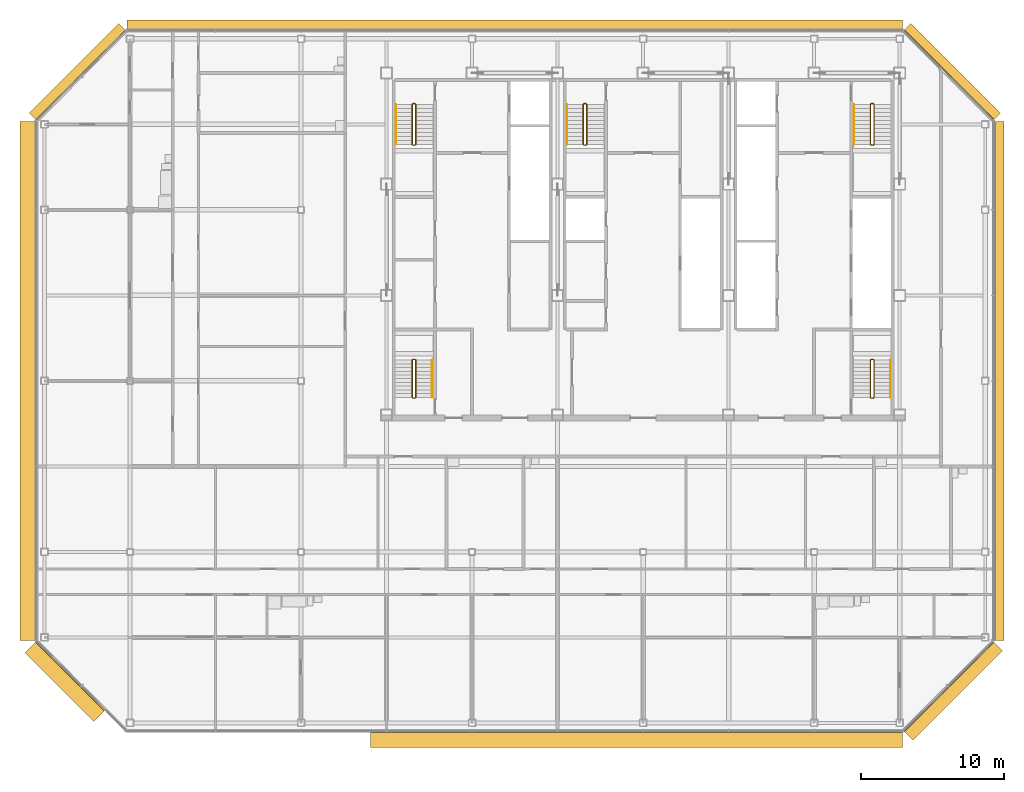
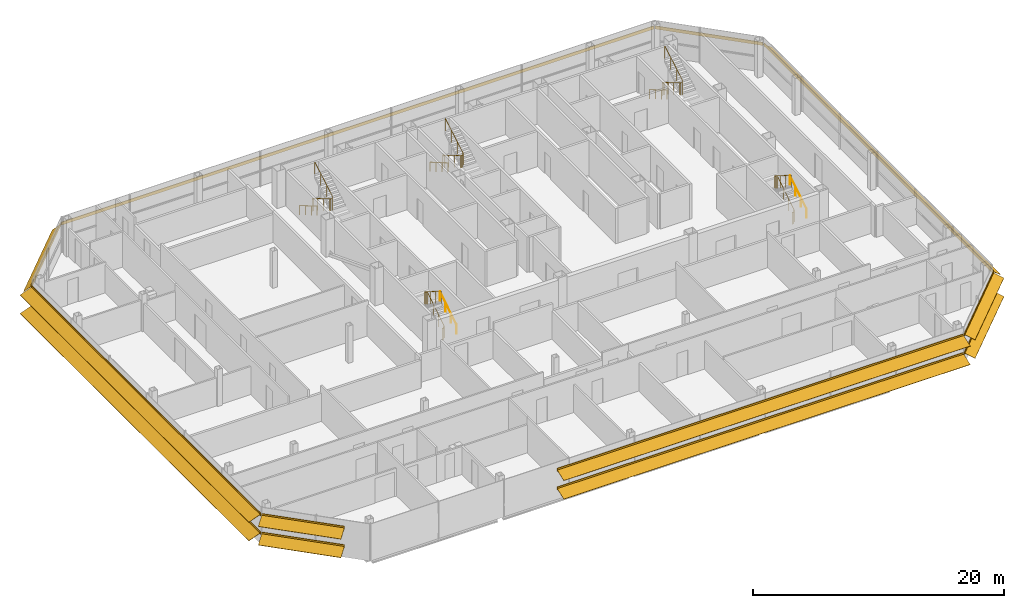
# One storey, part 26 of 27: 10 railings, 8 shading devices.
"""IFC4 building model written with IfcOpenShell, lengths in metres."""

from ifc_helpers import new_model, si_unit, direction, frame, origin, origin_2d, place, context, subcontext, project, spatial, polyline, circle, outline, composite_profile, extrude, material, type_object, element, save


model = new_model("IFC4")

# Units and contexts
model_context = context("Model", 3, precision=1e-05, world=origin(), true_north=direction((0.0, 1.0)))
body_context = subcontext(model_context, "Body", "Model", "MODEL_VIEW")
ifc_project = project(units=[si_unit("LENGTHUNIT", "METRE"), si_unit("AREAUNIT", "SQUARE_METRE"), si_unit("VOLUMEUNIT", "CUBIC_METRE"), si_unit("PLANEANGLEUNIT", "RADIAN"), si_unit("MASSUNIT", "GRAM", prefix="KILO")], contexts=[model_context])

# Site, building, storey
site_placement = place(None, origin())
site = spatial("IfcSite", under=ifc_project, at=site_placement, CompositionType="ELEMENT")
building_placement = place(site_placement, origin())
building = spatial("IfcBuilding", under=site, at=building_placement, Name="Sorahane Residences", CompositionType="ELEMENT")
storey_placement = place(building_placement, frame((0.0, 0.0, 316.0)))
storey = spatial("IfcBuildingStorey", under=building, at=storey_placement, Name="L75", CompositionType="ELEMENT", Elevation=316.0)

# Shading devices
ifc_material_1 = material(Name="Terracotta anodised aluminium", Category="masonry")
shading_device_type_1 = type_object("IfcShadingDeviceType", Name="Louvre sunshade blade E terracotta aluminium 700", PredefinedType="JALOUSIE", material=ifc_material_1)
shading_device_1_placement = place(storey_placement, frame((48.60009765625, 5.801513671875, 2.699951171875), z_axis=(0.0, 1.0, 0.0), x_axis=(-1.0, 0.0, 0.0)))
element("IfcShadingDevice", 1, at=shading_device_1_placement, inside=storey, type_object=shading_device_type_1, Name="Louvre sunshade blade bank E L75 E1", PredefinedType="JALOUSIE", context=body_context, shape_type="SweptSolid", body=[
    extrude(outline(polyline([(-0.719970703125, -0.49365234375), (-0.719970703125, -0.523681640625), (-0.080078125, -0.05859375), (-0.080078125, -0.14990234375), (-0.02001953125, -0.14990234375), (-0.02001953125, -0.014892578125), (-0.02001953125, 0.014892578125), (-0.02001953125, 0.14990234375), (-0.080078125, 0.14990234375), (-0.080078125, -0.028564453125), (-0.719970703125, -0.49365234375)])), origin(), (0.0, 0.0, 1.0), 36.39697265625),
])
ifc_material_2 = material(Name="Terracotta anodised aluminium", Category="masonry")
shading_device_type_2 = type_object("IfcShadingDeviceType", Name="Louvre sunshade blade N terracotta aluminium 700", PredefinedType="JALOUSIE", material=ifc_material_2)
shading_device_2_placement = place(storey_placement, frame((42.198486328125, 48.60009765625, 2.699951171875), z_axis=(-1.0, 0.0, 0.0), x_axis=(0.0, -1.0, 0.0)))
element("IfcShadingDevice", 2, at=shading_device_2_placement, inside=storey, type_object=shading_device_type_2, Name="Louvre sunshade blade bank N L75 N1", PredefinedType="JALOUSIE", context=body_context, shape_type="SweptSolid", body=[
    extrude(outline(polyline([(-0.719970703125, -0.660888671875), (-0.719970703125, -0.69091796875), (-0.080078125, -0.072998046875), (-0.080078125, -0.14990234375), (-0.02001953125, -0.14990234375), (-0.02001953125, -0.014892578125), (-0.02001953125, 0.014892578125), (-0.02001953125, 0.14990234375), (-0.080078125, 0.14990234375), (-0.080078125, -0.04296875), (-0.719970703125, -0.660888671875)])), origin(), (0.0, 0.0, 1.0), 54.39697265625),
])
ifc_material_3 = material(Name="Terracotta anodised aluminium", Category="masonry")
shading_device_type_3 = type_object("IfcShadingDeviceType", Name="Louvre sunshade blade NE terracotta aluminium 700", PredefinedType="JALOUSIE", material=ifc_material_3)
shading_device_3_placement = place(storey_placement, frame((48.564697265625, 42.283935546875, 2.699951171875), z_axis=(-0.707106781187, 0.707106781187, 0.0), x_axis=(-0.707106781187, -0.707106781187, 0.0)))
element("IfcShadingDevice", 3, at=shading_device_3_placement, inside=storey, type_object=shading_device_type_3, Name="Louvre sunshade blade bank NE L75 NE1", PredefinedType="JALOUSIE", context=body_context, shape_type="SweptSolid", body=[
    extrude(outline(polyline([(-0.719970703125, -0.572509765625), (-0.719970703125, -0.602294921875), (-0.080078125, -0.065185546875), (-0.080078125, -0.14990234375), (-0.02001953125, -0.14990234375), (-0.02001953125, -0.014892578125), (-0.02001953125, 0.014892578125), (-0.02001953125, 0.14990234375), (-0.080078125, 0.14990234375), (-0.080078125, -0.035400390625), (-0.719970703125, -0.572509765625)])), origin(), (0.0, 0.0, 1.0), 8.88232421875),
])
ifc_material_4 = material(Name="Terracotta anodised aluminium", Category="masonry")
shading_device_type_4 = type_object("IfcShadingDeviceType", Name="Louvre sunshade blade NW terracotta aluminium 700", PredefinedType="JALOUSIE", material=ifc_material_4)
shading_device_4_placement = place(storey_placement, frame((-12.283935546875, 48.564697265625, 2.699951171875), z_axis=(-0.707106781187, -0.707106781187, 0.0), x_axis=(0.707106781187, -0.707106781187, 0.0)))
element("IfcShadingDevice", 4, at=shading_device_4_placement, inside=storey, type_object=shading_device_type_4, Name="Louvre sunshade blade bank NW L75 NW1", PredefinedType="JALOUSIE", context=body_context, shape_type="SweptSolid", body=[
    extrude(outline(polyline([(-0.719970703125, -0.660888671875), (-0.719970703125, -0.69091796875), (-0.080078125, -0.072998046875), (-0.080078125, -0.14990234375), (-0.02001953125, -0.14990234375), (-0.02001953125, -0.014892578125), (-0.02001953125, 0.014892578125), (-0.02001953125, 0.14990234375), (-0.080078125, 0.14990234375), (-0.080078125, -0.04296875), (-0.719970703125, -0.660888671875)])), origin(), (0.0, 0.0, 1.0), 8.88232421875),
])
ifc_material_5 = material(Name="Terracotta anodised aluminium", Category="masonry")
shading_device_type_5 = type_object("IfcShadingDeviceType", Name="Louvre sunshade blade S terracotta aluminium 1100", PredefinedType="JALOUSIE", material=ifc_material_5)
shading_device_5_placement = place(storey_placement, frame((4.869384765625, -0.60009765625, 0.89990234375), z_axis=(1.0, 0.0, 0.0), x_axis=(0.0, 1.0, 0.0)))
element("IfcShadingDevice", 5, at=shading_device_5_placement, inside=storey, type_object=shading_device_type_5, Name="Louvre sunshade blade bank S L75 S1", PredefinedType="JALOUSIE", context=body_context, shape_type="SweptSolid", body=[
    extrude(composite_profile([outline(polyline([(-1.1201171875, -0.385498046875), (-1.1201171875, -0.415283203125), (-0.080078125, -0.036865234375), (-0.080078125, -0.14990234375), (-0.02001953125, -0.14990234375), (-0.02001953125, -0.014892578125), (-0.02001953125, 0.014892578125), (-0.02001953125, 0.14990234375), (-0.080078125, 0.14990234375), (-0.080078125, -0.0068359375), (-1.1201171875, -0.385498046875)])), outline(polyline([(-1.1201171875, 1.41455078125), (-1.1201171875, 1.384521484375), (-0.080078125, 1.76318359375), (-0.080078125, 1.64990234375), (-0.02001953125, 1.64990234375), (-0.02001953125, 1.784912109375), (-0.02001953125, 1.81494140625), (-0.02001953125, 1.949951171875), (-0.080078125, 1.949951171875), (-0.080078125, 1.793212890625), (-1.1201171875, 1.41455078125)]))]), origin(), (0.0, 0.0, 1.0), 37.3291015625),
])
ifc_material_6 = material(Name="Terracotta anodised aluminium", Category="masonry")
shading_device_type_6 = type_object("IfcShadingDeviceType", Name="Louvre sunshade blade SE terracotta aluminium 900", PredefinedType="JALOUSIE", material=ifc_material_6)
shading_device_6_placement = place(storey_placement, frame((42.283935546875, -0.564697265625, 0.89990234375), z_axis=(0.707106781187, 0.707106781187, 0.0), x_axis=(-0.707106781187, 0.707106781187, 0.0)))
element("IfcShadingDevice", 6, at=shading_device_6_placement, inside=storey, type_object=shading_device_type_6, Name="Louvre sunshade blade bank SE L75 SE1", PredefinedType="JALOUSIE", context=body_context, shape_type="SweptSolid", body=[
    extrude(composite_profile([outline(polyline([(-0.919921875, -0.3486328125), (-0.919921875, -0.378662109375), (-0.080078125, -0.039306640625), (-0.080078125, -0.14990234375), (-0.02001953125, -0.14990234375), (-0.02001953125, -0.014892578125), (-0.02001953125, 0.014892578125), (-0.02001953125, 0.14990234375), (-0.080078125, 0.14990234375), (-0.080078125, -0.00927734375), (-0.919921875, -0.3486328125)])), outline(polyline([(-0.919921875, 1.451416015625), (-0.919921875, 1.42138671875), (-0.080078125, 1.7607421875), (-0.080078125, 1.64990234375), (-0.02001953125, 1.64990234375), (-0.02001953125, 1.784912109375), (-0.02001953125, 1.81494140625), (-0.02001953125, 1.949951171875), (-0.080078125, 1.949951171875), (-0.080078125, 1.790771484375), (-0.919921875, 1.451416015625)]))]), origin(), (0.0, 0.0, 1.0), 8.88232421875),
])
ifc_material_7 = material(Name="Terracotta anodised aluminium", Category="masonry")
shading_device_type_7 = type_object("IfcShadingDeviceType", Name="Louvre sunshade blade SW terracotta aluminium 1100", PredefinedType="JALOUSIE", material=ifc_material_7)
shading_device_7_placement = place(storey_placement, frame((-18.564697265625, 5.716064453125, 0.89990234375), z_axis=(0.707106781187, -0.707106781187, 0.0), x_axis=(0.707106781187, 0.707106781187, 0.0)))
element("IfcShadingDevice", 7, at=shading_device_7_placement, inside=storey, type_object=shading_device_type_7, Name="Louvre sunshade blade bank SW L75 SW1", PredefinedType="JALOUSIE", context=body_context, shape_type="SweptSolid", body=[
    extrude(composite_profile([outline(polyline([(-1.1201171875, -0.385498046875), (-1.1201171875, -0.415283203125), (-0.080078125, -0.036865234375), (-0.080078125, -0.14990234375), (-0.02001953125, -0.14990234375), (-0.02001953125, -0.014892578125), (-0.02001953125, 0.014892578125), (-0.02001953125, 0.14990234375), (-0.080078125, 0.14990234375), (-0.080078125, -0.0068359375), (-1.1201171875, -0.385498046875)])), outline(polyline([(-1.1201171875, 1.41455078125), (-1.1201171875, 1.384521484375), (-0.080078125, 1.76318359375), (-0.080078125, 1.64990234375), (-0.02001953125, 1.64990234375), (-0.02001953125, 1.784912109375), (-0.02001953125, 1.81494140625), (-0.02001953125, 1.949951171875), (-0.080078125, 1.949951171875), (-0.080078125, 1.793212890625), (-1.1201171875, 1.41455078125)]))]), origin(), (0.0, 0.0, 1.0), 6.81103515625),
])
ifc_material_8 = material(Name="Terracotta anodised aluminium", Category="masonry")
shading_device_type_8 = type_object("IfcShadingDeviceType", Name="Louvre sunshade blade W terracotta aluminium 1100", PredefinedType="JALOUSIE", material=ifc_material_8)
shading_device_8_placement = place(storey_placement, frame((-18.60009765625, 42.198486328125, 0.89990234375), z_axis=(0.0, -1.0, 0.0), x_axis=(1.0, 0.0, 0.0)))
element("IfcShadingDevice", 8, at=shading_device_8_placement, inside=storey, type_object=shading_device_type_8, Name="Louvre sunshade blade bank W L75 W1", PredefinedType="JALOUSIE", context=body_context, shape_type="SweptSolid", body=[
    extrude(composite_profile([outline(polyline([(-1.1201171875, -0.385498046875), (-1.1201171875, -0.415283203125), (-0.080078125, -0.036865234375), (-0.080078125, -0.14990234375), (-0.02001953125, -0.14990234375), (-0.02001953125, -0.014892578125), (-0.02001953125, 0.014892578125), (-0.02001953125, 0.14990234375), (-0.080078125, 0.14990234375), (-0.080078125, -0.0068359375), (-1.1201171875, -0.385498046875)])), outline(polyline([(-1.1201171875, 1.41455078125), (-1.1201171875, 1.384521484375), (-0.080078125, 1.76318359375), (-0.080078125, 1.64990234375), (-0.02001953125, 1.64990234375), (-0.02001953125, 1.784912109375), (-0.02001953125, 1.81494140625), (-0.02001953125, 1.949951171875), (-0.080078125, 1.949951171875), (-0.080078125, 1.793212890625), (-1.1201171875, 1.41455078125)]))]), origin(), (0.0, 0.0, 1.0), 36.39697265625),
])

# Railings
ifc_material_9 = material(Name="Steel Q355B", Category="steel")
railing_type_1 = type_object("IfcRailingType", Name="Stair guard 1200 Steel Q355B", PredefinedType="GUARDRAIL", material=ifc_material_9)
railing_1_placement = place(storey_placement, frame((8.0, 43.449951171875, 0.0)))
element("IfcRailing", 9, at=railing_1_placement, inside=storey, type_object=railing_type_1, Name="L75 S1 stair guard 1", PredefinedType="GUARDRAIL", context=body_context, shape_type="SweptSolid", body=[
    extrude(circle(Radius=0.02392578125, at=origin_2d()), frame((0.0, 0.0, 1.17578125), z_axis=(-1.0, 0.0, 0.0), x_axis=(0.0, -1.0, 0.0)), (0.0, 0.0, 1.0), 0.14990234375),
    extrude(circle(Radius=0.02392578125, at=origin_2d()), frame((-0.14990234375, 0.0, 1.17578125), z_axis=(-0.280808744504, -0.280808744504, 0.917765164963), x_axis=(0.707106781187, -0.707106781187, 0.0)), (0.0, 0.0, 1.0), 0.17822265625),
    extrude(circle(Radius=0.02392578125, at=origin_2d()), frame((-0.199951171875, -0.050048828125, 1.33935546875), z_axis=(0.0, -0.863341702679, 0.504619762213), x_axis=(1.0, 0.0, 0.0)), (0.0, 0.0, 1.0), 3.242919921875),
    extrude(circle(Radius=0.02392578125, at=origin_2d()), frame((-0.199951171875, -2.849853515625, 2.97607421875), z_axis=(0.707106781187, -0.707106781187, 0.0), x_axis=(0.707106781187, 0.707106781187, 0.0)), (0.0, 0.0, 1.0), 0.07080078125),
    extrude(circle(Radius=0.02392578125, at=origin_2d()), frame((-0.14990234375, -2.89990234375, 2.97607421875), z_axis=(1.0, 0.0, 0.0), x_axis=(0.0, 1.0, 0.0)), (0.0, 0.0, 1.0), 0.14990234375),
    extrude(circle(Radius=0.02392578125, at=origin_2d()), frame((0.0, -2.89990234375, 2.97607421875), z_axis=(0.280808744504, 0.280808744504, 0.917765164963), x_axis=(-0.707106781187, 0.707106781187, 0.0)), (0.0, 0.0, 1.0), 0.17822265625),
    extrude(circle(Radius=0.02392578125, at=origin_2d()), frame((0.050048828125, -2.849853515625, 3.1396484375), z_axis=(0.0, 0.863341702679, 0.504619762213), x_axis=(-1.0, 0.0, 0.0)), (0.0, 0.0, 1.0), 3.242919921875),
    extrude(circle(Radius=0.02099609375, at=origin_2d()), origin(), (0.0, 0.0, 1.0), 1.15185546875),
    extrude(circle(Radius=0.02099609375, at=origin_2d()), frame((-0.14990234375, 0.0, 0.0)), (0.0, 0.0, 1.0), 1.15185546875),
    extrude(circle(Radius=0.02099609375, at=origin_2d()), frame((-0.199951171875, -0.050048828125, 0.16357421875)), (0.0, 0.0, 1.0), 1.15185546875),
    extrude(circle(Radius=0.02099609375, at=origin_2d()), frame((-0.199951171875, -0.9833984375, 0.708984375)), (0.0, 0.0, 1.0), 1.15185546875),
    extrude(circle(Radius=0.02099609375, at=origin_2d()), frame((-0.199951171875, -1.91650390625, 1.254638671875)), (0.0, 0.0, 1.0), 1.15185546875),
    extrude(circle(Radius=0.02099609375, at=origin_2d()), frame((-0.199951171875, -2.849853515625, 1.800048828125)), (0.0, 0.0, 1.0), 1.15185546875),
    extrude(circle(Radius=0.02099609375, at=origin_2d()), frame((-0.14990234375, -2.89990234375, 1.800048828125)), (0.0, 0.0, 1.0), 1.15185546875),
    extrude(circle(Radius=0.02099609375, at=origin_2d()), frame((0.0, -2.89990234375, 1.800048828125)), (0.0, 0.0, 1.0), 1.15185546875),
    extrude(circle(Radius=0.02099609375, at=origin_2d()), frame((0.050048828125, -2.849853515625, 1.963623046875)), (0.0, 0.0, 1.0), 1.15185546875),
    extrude(circle(Radius=0.02099609375, at=origin_2d()), frame((0.050048828125, -1.91650390625, 2.509033203125)), (0.0, 0.0, 1.0), 1.15185546875),
    extrude(circle(Radius=0.02099609375, at=origin_2d()), frame((0.050048828125, -0.9833984375, 3.0546875)), (0.0, 0.0, 1.0), 1.15185546875),
    extrude(circle(Radius=0.02099609375, at=origin_2d()), frame((0.050048828125, -0.050048828125, 3.60009765625)), (0.0, 0.0, 1.0), 1.15185546875),
])
railing_2_placement = place(storey_placement, frame((40.14990234375, 43.449951171875, 0.0)))
element("IfcRailing", 10, at=railing_2_placement, inside=storey, type_object=railing_type_1, Name="L75 S2 stair guard 1", PredefinedType="GUARDRAIL", context=body_context, shape_type="SweptSolid", body=[
    extrude(circle(Radius=0.02392578125, at=origin_2d()), frame((0.0, 0.0, 1.17578125), z_axis=(-1.0, 0.0, 0.0), x_axis=(0.0, -1.0, 0.0)), (0.0, 0.0, 1.0), 0.14990234375),
    extrude(circle(Radius=0.02392578125, at=origin_2d()), frame((-0.14990234375, 0.0, 1.17578125), z_axis=(-0.280808744504, -0.280808744504, 0.917765164963), x_axis=(0.707106781187, -0.707106781187, 0.0)), (0.0, 0.0, 1.0), 0.17822265625),
    extrude(circle(Radius=0.02392578125, at=origin_2d()), frame((-0.199951171875, -0.050048828125, 1.33935546875), z_axis=(0.0, -0.863341702679, 0.504619762213), x_axis=(1.0, 0.0, 0.0)), (0.0, 0.0, 1.0), 3.242919921875),
    extrude(circle(Radius=0.02392578125, at=origin_2d()), frame((-0.199951171875, -2.849853515625, 2.97607421875), z_axis=(0.707106781187, -0.707106781187, 0.0), x_axis=(0.707106781187, 0.707106781187, 0.0)), (0.0, 0.0, 1.0), 0.07080078125),
    extrude(circle(Radius=0.02392578125, at=origin_2d()), frame((-0.14990234375, -2.89990234375, 2.97607421875), z_axis=(1.0, 0.0, 0.0), x_axis=(0.0, 1.0, 0.0)), (0.0, 0.0, 1.0), 0.14990234375),
    extrude(circle(Radius=0.02392578125, at=origin_2d()), frame((0.0, -2.89990234375, 2.97607421875), z_axis=(0.280808744504, 0.280808744504, 0.917765164963), x_axis=(-0.707106781187, 0.707106781187, 0.0)), (0.0, 0.0, 1.0), 0.17822265625),
    extrude(circle(Radius=0.02392578125, at=origin_2d()), frame((0.050048828125, -2.849853515625, 3.1396484375), z_axis=(0.0, 0.863341702679, 0.504619762213), x_axis=(-1.0, 0.0, 0.0)), (0.0, 0.0, 1.0), 3.242919921875),
    extrude(circle(Radius=0.02099609375, at=origin_2d()), origin(), (0.0, 0.0, 1.0), 1.15185546875),
    extrude(circle(Radius=0.02099609375, at=origin_2d()), frame((-0.14990234375, 0.0, 0.0)), (0.0, 0.0, 1.0), 1.15185546875),
    extrude(circle(Radius=0.02099609375, at=origin_2d()), frame((-0.199951171875, -0.050048828125, 0.16357421875)), (0.0, 0.0, 1.0), 1.15185546875),
    extrude(circle(Radius=0.02099609375, at=origin_2d()), frame((-0.199951171875, -0.9833984375, 0.708984375)), (0.0, 0.0, 1.0), 1.15185546875),
    extrude(circle(Radius=0.02099609375, at=origin_2d()), frame((-0.199951171875, -1.91650390625, 1.254638671875)), (0.0, 0.0, 1.0), 1.15185546875),
    extrude(circle(Radius=0.02099609375, at=origin_2d()), frame((-0.199951171875, -2.849853515625, 1.800048828125)), (0.0, 0.0, 1.0), 1.15185546875),
    extrude(circle(Radius=0.02099609375, at=origin_2d()), frame((-0.14990234375, -2.89990234375, 1.800048828125)), (0.0, 0.0, 1.0), 1.15185546875),
    extrude(circle(Radius=0.02099609375, at=origin_2d()), frame((0.0, -2.89990234375, 1.800048828125)), (0.0, 0.0, 1.0), 1.15185546875),
    extrude(circle(Radius=0.02099609375, at=origin_2d()), frame((0.050048828125, -2.849853515625, 1.963623046875)), (0.0, 0.0, 1.0), 1.15185546875),
    extrude(circle(Radius=0.02099609375, at=origin_2d()), frame((0.050048828125, -1.91650390625, 2.509033203125)), (0.0, 0.0, 1.0), 1.15185546875),
    extrude(circle(Radius=0.02099609375, at=origin_2d()), frame((0.050048828125, -0.9833984375, 3.0546875)), (0.0, 0.0, 1.0), 1.15185546875),
    extrude(circle(Radius=0.02099609375, at=origin_2d()), frame((0.050048828125, -0.050048828125, 3.60009765625)), (0.0, 0.0, 1.0), 1.15185546875),
])
railing_3_placement = place(storey_placement, frame((20.0, 43.449951171875, 0.0)))
element("IfcRailing", 11, at=railing_3_placement, inside=storey, type_object=railing_type_1, Name="L75 S3 stair guard 1", PredefinedType="GUARDRAIL", context=body_context, shape_type="SweptSolid", body=[
    extrude(circle(Radius=0.02392578125, at=origin_2d()), frame((0.0, 0.0, 1.17578125), z_axis=(-1.0, 0.0, 0.0), x_axis=(0.0, -1.0, 0.0)), (0.0, 0.0, 1.0), 0.14990234375),
    extrude(circle(Radius=0.02392578125, at=origin_2d()), frame((-0.14990234375, 0.0, 1.17578125), z_axis=(-0.280808744504, -0.280808744504, 0.917765164963), x_axis=(0.707106781187, -0.707106781187, 0.0)), (0.0, 0.0, 1.0), 0.17822265625),
    extrude(circle(Radius=0.02392578125, at=origin_2d()), frame((-0.199951171875, -0.050048828125, 1.33935546875), z_axis=(0.0, -0.863341702679, 0.504619762213), x_axis=(1.0, 0.0, 0.0)), (0.0, 0.0, 1.0), 3.242919921875),
    extrude(circle(Radius=0.02392578125, at=origin_2d()), frame((-0.199951171875, -2.849853515625, 2.97607421875), z_axis=(0.707106781187, -0.707106781187, 0.0), x_axis=(0.707106781187, 0.707106781187, 0.0)), (0.0, 0.0, 1.0), 0.07080078125),
    extrude(circle(Radius=0.02392578125, at=origin_2d()), frame((-0.14990234375, -2.89990234375, 2.97607421875), z_axis=(1.0, 0.0, 0.0), x_axis=(0.0, 1.0, 0.0)), (0.0, 0.0, 1.0), 0.14990234375),
    extrude(circle(Radius=0.02392578125, at=origin_2d()), frame((0.0, -2.89990234375, 2.97607421875), z_axis=(0.280808744504, 0.280808744504, 0.917765164963), x_axis=(-0.707106781187, 0.707106781187, 0.0)), (0.0, 0.0, 1.0), 0.17822265625),
    extrude(circle(Radius=0.02392578125, at=origin_2d()), frame((0.050048828125, -2.849853515625, 3.1396484375), z_axis=(0.0, 0.863341702679, 0.504619762213), x_axis=(-1.0, 0.0, 0.0)), (0.0, 0.0, 1.0), 3.242919921875),
    extrude(circle(Radius=0.02099609375, at=origin_2d()), origin(), (0.0, 0.0, 1.0), 1.15185546875),
    extrude(circle(Radius=0.02099609375, at=origin_2d()), frame((-0.14990234375, 0.0, 0.0)), (0.0, 0.0, 1.0), 1.15185546875),
    extrude(circle(Radius=0.02099609375, at=origin_2d()), frame((-0.199951171875, -0.050048828125, 0.16357421875)), (0.0, 0.0, 1.0), 1.15185546875),
    extrude(circle(Radius=0.02099609375, at=origin_2d()), frame((-0.199951171875, -0.9833984375, 0.708984375)), (0.0, 0.0, 1.0), 1.15185546875),
    extrude(circle(Radius=0.02099609375, at=origin_2d()), frame((-0.199951171875, -1.91650390625, 1.254638671875)), (0.0, 0.0, 1.0), 1.15185546875),
    extrude(circle(Radius=0.02099609375, at=origin_2d()), frame((-0.199951171875, -2.849853515625, 1.800048828125)), (0.0, 0.0, 1.0), 1.15185546875),
    extrude(circle(Radius=0.02099609375, at=origin_2d()), frame((-0.14990234375, -2.89990234375, 1.800048828125)), (0.0, 0.0, 1.0), 1.15185546875),
    extrude(circle(Radius=0.02099609375, at=origin_2d()), frame((0.0, -2.89990234375, 1.800048828125)), (0.0, 0.0, 1.0), 1.15185546875),
    extrude(circle(Radius=0.02099609375, at=origin_2d()), frame((0.050048828125, -2.849853515625, 1.963623046875)), (0.0, 0.0, 1.0), 1.15185546875),
    extrude(circle(Radius=0.02099609375, at=origin_2d()), frame((0.050048828125, -1.91650390625, 2.509033203125)), (0.0, 0.0, 1.0), 1.15185546875),
    extrude(circle(Radius=0.02099609375, at=origin_2d()), frame((0.050048828125, -0.9833984375, 3.0546875)), (0.0, 0.0, 1.0), 1.15185546875),
    extrude(circle(Radius=0.02099609375, at=origin_2d()), frame((0.050048828125, -0.050048828125, 3.60009765625)), (0.0, 0.0, 1.0), 1.15185546875),
])
railing_4_placement = place(storey_placement, frame((7.85009765625, 22.800048828125, 0.0)))
element("IfcRailing", 12, at=railing_4_placement, inside=storey, type_object=railing_type_1, Name="L75 S4 stair guard 1", PredefinedType="GUARDRAIL", context=body_context, shape_type="SweptSolid", body=[
    extrude(circle(Radius=0.02392578125, at=origin_2d()), frame((0.0, 0.0, 1.17578125), z_axis=(1.0, 0.0, 0.0), x_axis=(0.0, 1.0, 0.0)), (0.0, 0.0, 1.0), 0.14990234375),
    extrude(circle(Radius=0.02392578125, at=origin_2d()), frame((0.14990234375, 0.0, 1.17578125), z_axis=(0.280808744504, 0.280808744504, 0.917765164963), x_axis=(-0.707106781187, 0.707106781187, 0.0)), (0.0, 0.0, 1.0), 0.17822265625),
    extrude(circle(Radius=0.02392578125, at=origin_2d()), frame((0.199951171875, 0.050048828125, 1.33935546875), z_axis=(0.0, 0.846301844409, 0.532703658848), x_axis=(-1.0, 0.0, 0.0)), (0.0, 0.0, 1.0), 3.072021484375),
    extrude(circle(Radius=0.02392578125, at=origin_2d()), frame((0.199951171875, 2.64990234375, 2.97607421875), z_axis=(-0.707106781187, 0.707106781187, 0.0), x_axis=(-0.707106781187, -0.707106781187, 0.0)), (0.0, 0.0, 1.0), 0.07080078125),
    extrude(circle(Radius=0.02392578125, at=origin_2d()), frame((0.14990234375, 2.699951171875, 2.97607421875), z_axis=(-1.0, 0.0, 0.0), x_axis=(0.0, -1.0, 0.0)), (0.0, 0.0, 1.0), 0.14990234375),
    extrude(circle(Radius=0.02392578125, at=origin_2d()), frame((0.0, 2.699951171875, 2.97607421875), z_axis=(-0.280808744504, -0.280808744504, 0.917765164963), x_axis=(0.707106781187, -0.707106781187, 0.0)), (0.0, 0.0, 1.0), 0.17822265625),
    extrude(circle(Radius=0.02392578125, at=origin_2d()), frame((-0.050048828125, 2.64990234375, 3.1396484375), z_axis=(0.0, -0.846301844409, 0.532703658848), x_axis=(1.0, 0.0, 0.0)), (0.0, 0.0, 1.0), 3.072021484375),
    extrude(circle(Radius=0.02099609375, at=origin_2d()), origin(), (0.0, 0.0, 1.0), 1.15185546875),
    extrude(circle(Radius=0.02099609375, at=origin_2d()), frame((0.14990234375, 0.0, 0.0)), (0.0, 0.0, 1.0), 1.15185546875),
    extrude(circle(Radius=0.02099609375, at=origin_2d()), frame((0.199951171875, 0.050048828125, 0.16357421875)), (0.0, 0.0, 1.0), 1.15185546875),
    extrude(circle(Radius=0.02099609375, at=origin_2d()), frame((0.199951171875, 0.916748046875, 0.708984375)), (0.0, 0.0, 1.0), 1.15185546875),
    extrude(circle(Radius=0.02099609375, at=origin_2d()), frame((0.199951171875, 1.783203125, 1.254638671875)), (0.0, 0.0, 1.0), 1.15185546875),
    extrude(circle(Radius=0.02099609375, at=origin_2d()), frame((0.199951171875, 2.64990234375, 1.800048828125)), (0.0, 0.0, 1.0), 1.15185546875),
    extrude(circle(Radius=0.02099609375, at=origin_2d()), frame((0.14990234375, 2.699951171875, 1.800048828125)), (0.0, 0.0, 1.0), 1.15185546875),
    extrude(circle(Radius=0.02099609375, at=origin_2d()), frame((0.0, 2.699951171875, 1.800048828125)), (0.0, 0.0, 1.0), 1.15185546875),
    extrude(circle(Radius=0.02099609375, at=origin_2d()), frame((-0.050048828125, 2.64990234375, 1.963623046875)), (0.0, 0.0, 1.0), 1.15185546875),
    extrude(circle(Radius=0.02099609375, at=origin_2d()), frame((-0.050048828125, 1.783203125, 2.509033203125)), (0.0, 0.0, 1.0), 1.15185546875),
    extrude(circle(Radius=0.02099609375, at=origin_2d()), frame((-0.050048828125, 0.916748046875, 3.0546875)), (0.0, 0.0, 1.0), 1.15185546875),
    extrude(circle(Radius=0.02099609375, at=origin_2d()), frame((-0.050048828125, 0.050048828125, 3.60009765625)), (0.0, 0.0, 1.0), 1.15185546875),
])
railing_5_placement = place(storey_placement, frame((40.0, 22.800048828125, 0.0)))
element("IfcRailing", 13, at=railing_5_placement, inside=storey, type_object=railing_type_1, Name="L75 S5 stair guard 1", PredefinedType="GUARDRAIL", context=body_context, shape_type="SweptSolid", body=[
    extrude(circle(Radius=0.02392578125, at=origin_2d()), frame((0.0, 0.0, 1.17578125), z_axis=(1.0, 0.0, 0.0), x_axis=(0.0, 1.0, 0.0)), (0.0, 0.0, 1.0), 0.14990234375),
    extrude(circle(Radius=0.02392578125, at=origin_2d()), frame((0.14990234375, 0.0, 1.17578125), z_axis=(0.280808744504, 0.280808744504, 0.917765164963), x_axis=(-0.707106781187, 0.707106781187, 0.0)), (0.0, 0.0, 1.0), 0.17822265625),
    extrude(circle(Radius=0.02392578125, at=origin_2d()), frame((0.199951171875, 0.050048828125, 1.33935546875), z_axis=(0.0, 0.846301844409, 0.532703658848), x_axis=(-1.0, 0.0, 0.0)), (0.0, 0.0, 1.0), 3.072021484375),
    extrude(circle(Radius=0.02392578125, at=origin_2d()), frame((0.199951171875, 2.64990234375, 2.97607421875), z_axis=(-0.707106781187, 0.707106781187, 0.0), x_axis=(-0.707106781187, -0.707106781187, 0.0)), (0.0, 0.0, 1.0), 0.07080078125),
    extrude(circle(Radius=0.02392578125, at=origin_2d()), frame((0.14990234375, 2.699951171875, 2.97607421875), z_axis=(-1.0, 0.0, 0.0), x_axis=(0.0, -1.0, 0.0)), (0.0, 0.0, 1.0), 0.14990234375),
    extrude(circle(Radius=0.02392578125, at=origin_2d()), frame((0.0, 2.699951171875, 2.97607421875), z_axis=(-0.280808744504, -0.280808744504, 0.917765164963), x_axis=(0.707106781187, -0.707106781187, 0.0)), (0.0, 0.0, 1.0), 0.17822265625),
    extrude(circle(Radius=0.02392578125, at=origin_2d()), frame((-0.050048828125, 2.64990234375, 3.1396484375), z_axis=(0.0, -0.846301844409, 0.532703658848), x_axis=(1.0, 0.0, 0.0)), (0.0, 0.0, 1.0), 3.072021484375),
    extrude(circle(Radius=0.02099609375, at=origin_2d()), origin(), (0.0, 0.0, 1.0), 1.15185546875),
    extrude(circle(Radius=0.02099609375, at=origin_2d()), frame((0.14990234375, 0.0, 0.0)), (0.0, 0.0, 1.0), 1.15185546875),
    extrude(circle(Radius=0.02099609375, at=origin_2d()), frame((0.199951171875, 0.050048828125, 0.16357421875)), (0.0, 0.0, 1.0), 1.15185546875),
    extrude(circle(Radius=0.02099609375, at=origin_2d()), frame((0.199951171875, 0.916748046875, 0.708984375)), (0.0, 0.0, 1.0), 1.15185546875),
    extrude(circle(Radius=0.02099609375, at=origin_2d()), frame((0.199951171875, 1.783203125, 1.254638671875)), (0.0, 0.0, 1.0), 1.15185546875),
    extrude(circle(Radius=0.02099609375, at=origin_2d()), frame((0.199951171875, 2.64990234375, 1.800048828125)), (0.0, 0.0, 1.0), 1.15185546875),
    extrude(circle(Radius=0.02099609375, at=origin_2d()), frame((0.14990234375, 2.699951171875, 1.800048828125)), (0.0, 0.0, 1.0), 1.15185546875),
    extrude(circle(Radius=0.02099609375, at=origin_2d()), frame((0.0, 2.699951171875, 1.800048828125)), (0.0, 0.0, 1.0), 1.15185546875),
    extrude(circle(Radius=0.02099609375, at=origin_2d()), frame((-0.050048828125, 2.64990234375, 1.963623046875)), (0.0, 0.0, 1.0), 1.15185546875),
    extrude(circle(Radius=0.02099609375, at=origin_2d()), frame((-0.050048828125, 1.783203125, 2.509033203125)), (0.0, 0.0, 1.0), 1.15185546875),
    extrude(circle(Radius=0.02099609375, at=origin_2d()), frame((-0.050048828125, 0.916748046875, 3.0546875)), (0.0, 0.0, 1.0), 1.15185546875),
    extrude(circle(Radius=0.02099609375, at=origin_2d()), frame((-0.050048828125, 0.050048828125, 3.60009765625)), (0.0, 0.0, 1.0), 1.15185546875),
])
ifc_material_10 = material(Name="Steel Q355B", Category="steel")
railing_type_2 = type_object("IfcRailingType", Name="Stair handrail 900 Steel Q355B", PredefinedType="HANDRAIL", material=ifc_material_10)
for number, where, name in (
    (14, (6.64990234375, 43.39990234375, 0.16357421875), "L75 S1 stair handrail 1"),
    (15, (38.800048828125, 43.39990234375, 0.16357421875), "L75 S2 stair handrail 1"),
    (16, (18.64990234375, 43.39990234375, 0.16357421875), "L75 S3 stair handrail 1"),
):
    element("IfcRailing", number, at=place(storey_placement, frame(where)), inside=storey, type_object=railing_type_2, Name=name, PredefinedType="HANDRAIL", context=body_context, shape_type="SweptSolid", body=[
        extrude(circle(Radius=0.02392578125, at=origin_2d()), frame((0.0, 0.0, 0.8759765625), z_axis=(0.0, -0.863341702679, 0.504619762213), x_axis=(1.0, 0.0, 0.0)), (0.0, 0.0, 1.0), 3.242919921875),
        extrude(circle(Radius=0.02099609375, at=origin_2d()), origin(), (0.0, 0.0, 1.0), 0.851806640625),
        extrude(circle(Radius=0.02099609375, at=origin_2d()), frame((0.0, -0.933349609375, 0.54541015625)), (0.0, 0.0, 1.0), 0.851806640625),
        extrude(circle(Radius=0.02099609375, at=origin_2d()), frame((0.0, -1.866455078125, 1.091064453125)), (0.0, 0.0, 1.0), 0.851806640625),
        extrude(circle(Radius=0.02099609375, at=origin_2d()), frame((0.0, -2.7998046875, 1.636474609375)), (0.0, 0.0, 1.0), 0.851806640625),
    ])
for number, where, name in (
    (17, (9.199951171875, 22.85009765625, 0.16357421875), "L75 S4 stair handrail 1"),
    (18, (41.35009765625, 22.85009765625, 0.16357421875), "L75 S5 stair handrail 1"),
):
    element("IfcRailing", number, at=place(storey_placement, frame(where)), inside=storey, type_object=railing_type_2, Name=name, PredefinedType="HANDRAIL", context=body_context, shape_type="SweptSolid", body=[
        extrude(circle(Radius=0.02392578125, at=origin_2d()), frame((0.0, 0.0, 0.8759765625), z_axis=(0.0, 0.846301844409, 0.532703658848), x_axis=(-1.0, 0.0, 0.0)), (0.0, 0.0, 1.0), 3.072021484375),
        extrude(circle(Radius=0.02099609375, at=origin_2d()), origin(), (0.0, 0.0, 1.0), 0.851806640625),
        extrude(circle(Radius=0.02099609375, at=origin_2d()), frame((0.0, 0.86669921875, 0.54541015625)), (0.0, 0.0, 1.0), 0.851806640625),
        extrude(circle(Radius=0.02099609375, at=origin_2d()), frame((0.0, 1.733154296875, 1.091064453125)), (0.0, 0.0, 1.0), 0.851806640625),
        extrude(circle(Radius=0.02099609375, at=origin_2d()), frame((0.0, 2.599853515625, 1.636474609375)), (0.0, 0.0, 1.0), 0.851806640625),
    ])

save(model, "model.ifc")
